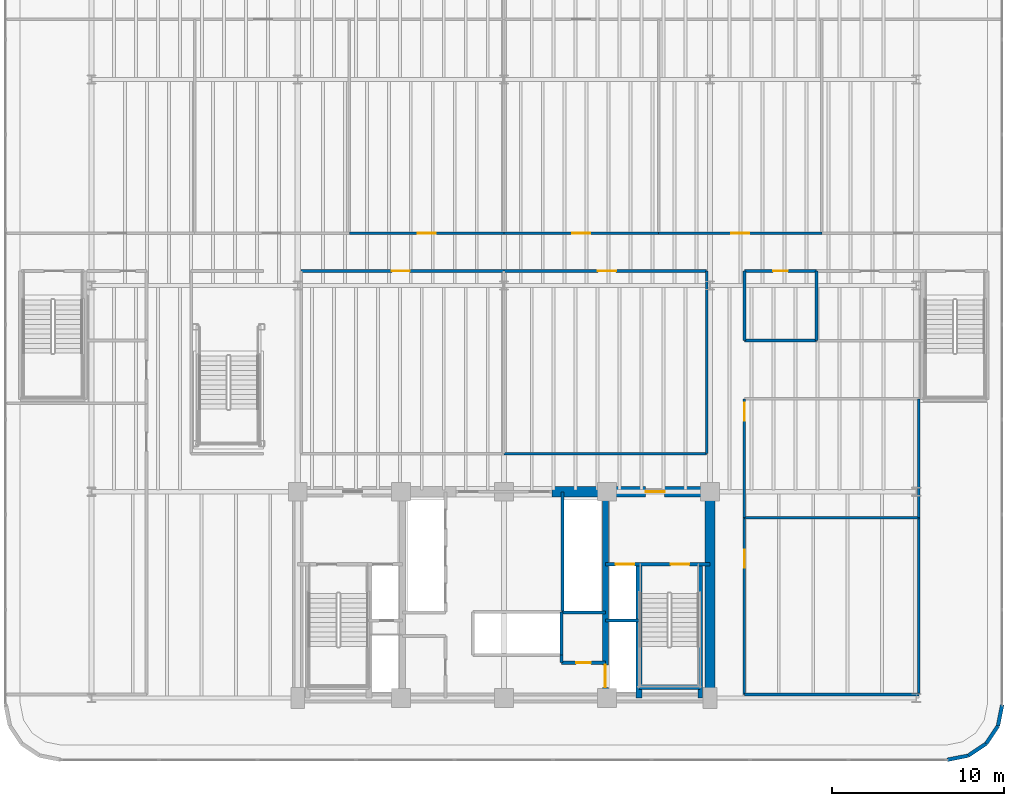
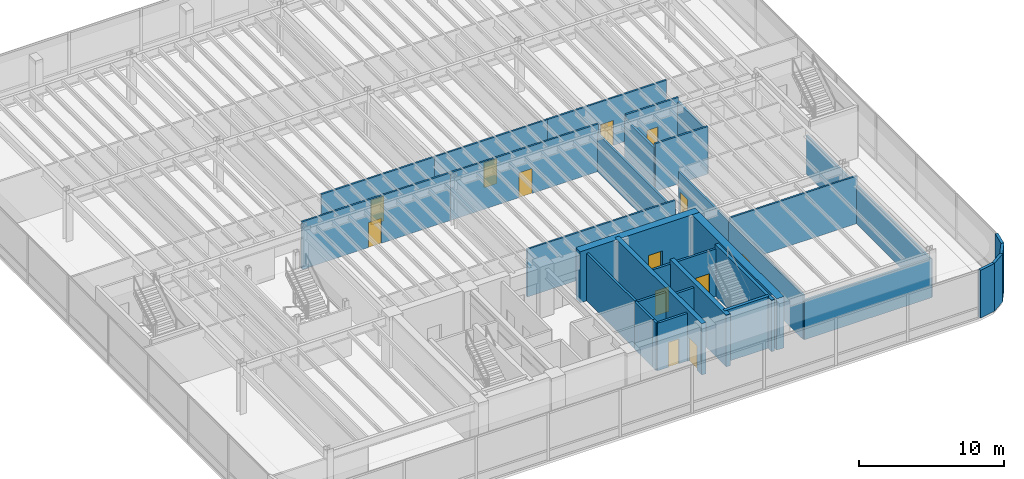
# One storey, part 13 of 18: 34 walls, 13 doors, 13 openings.
"""IFC4 building model written with IfcOpenShell, lengths in metres."""

import ifcopenshell
import ifcopenshell.guid

model = None  # the IFC model being written
_history = None  # IfcOwnerHistory: only IFC2X3 demands one
_inside = {}  # id of a spatial element -> (the spatial element, [elements in it])
_under = {}  # id of a project, library or spatial element -> (it, [spatial elements below it])
_declared = {}  # id of a project -> (the project, [libraries it declares])
_typed = {}  # id of a type object -> (the type object, [elements of that type])
_made_of = {}  # id of a material, layer set ... -> (it, [elements and type objects made of it])


def new_model(schema):
    """Start an empty IFC model of exactly this schema.

    Asked for "IFC4X3", IfcOpenShell would pick the latest addendum, in which some entities
    have other attributes; the version numbers below select the first issue.
    IFC2X3 requires an IfcOwnerHistory on every rooted entity: one is made here for all.
    """
    global model, _history
    if schema == "IFC4X3":
        model = ifcopenshell.file(schema_version=(4, 3, 0, 0))
    else:
        model = ifcopenshell.file(schema=schema)
    _inside.clear()
    _under.clear()
    _declared.clear()
    _typed.clear()
    _made_of.clear()
    _history = None
    if model.schema == "IFC2X3":
        org = make("IfcOrganization", Name="unknown")
        user = make(
            "IfcPersonAndOrganization",
            ThePerson=make("IfcPerson", FamilyName="unknown"),
            TheOrganization=org,
        )
        app = make(
            "IfcApplication",
            ApplicationDeveloper=org,
            Version="unknown",
            ApplicationFullName="unknown",
            ApplicationIdentifier="unknown",
        )
        _history = make(
            "IfcOwnerHistory",
            OwningUser=user,
            OwningApplication=app,
            ChangeAction="ADDED",
            CreationDate=0,
        )
    return model


def make(cls, **values):
    """One entity of the class cls with the attributes given. An attribute that is None is left unset."""
    return model.create_entity(
        cls, **{name: value for name, value in values.items() if value is not None}
    )


def rooted(cls, **values):
    """An entity with a GlobalId (a new one), such as an element, a storey or a relation."""
    return make(cls, GlobalId=ifcopenshell.guid.new(), OwnerHistory=_history, **values)


def si_unit(unit_type, name, prefix=None):
    """IfcSIUnit, for example si_unit("LENGTHUNIT", "METRE", prefix="MILLI")."""
    return make("IfcSIUnit", UnitType=unit_type, Prefix=prefix, Name=name)


def assignment(units):
    """IfcUnitAssignment: the units of a project."""
    return None if units is None else make("IfcUnitAssignment", Units=units)


def point(xyz):
    """IfcCartesianPoint."""
    return None if xyz is None else make("IfcCartesianPoint", Coordinates=xyz)


def direction(xyz):
    """IfcDirection."""
    return None if xyz is None else make("IfcDirection", DirectionRatios=xyz)


def frame(location, z_axis=None, x_axis=None):
    """IfcAxis2Placement3D, a coordinate frame: its origin and axes. An axis left out is left unset."""
    return make(
        "IfcAxis2Placement3D",
        Location=point(location),
        Axis=direction(z_axis),
        RefDirection=direction(x_axis),
    )


def frame_2d(location, x_axis=None):
    """IfcAxis2Placement2D, a coordinate frame in the plane: its origin and x axis."""
    return make(
        "IfcAxis2Placement2D", Location=point(location), RefDirection=direction(x_axis)
    )


def origin():
    """The frame at (0, 0, 0) with its axes left unset."""
    return frame((0.0, 0.0, 0.0))


def origin_2d():
    """The frame at (0, 0) in the plane with its x axis left unset."""
    return frame_2d((0.0, 0.0))


def place(relative_to, where):
    """IfcLocalPlacement: puts the frame where relative to a parent placement (None: the world)."""
    return make(
        "IfcLocalPlacement", PlacementRelTo=relative_to, RelativePlacement=where
    )


def context(
    kind, dimensions, precision=None, world=None, true_north=None, identifier=None
):
    """IfcGeometricRepresentationContext, for example the 3D "Model" context."""
    return make(
        "IfcGeometricRepresentationContext",
        ContextIdentifier=identifier,
        ContextType=kind,
        CoordinateSpaceDimension=dimensions,
        Precision=precision,
        WorldCoordinateSystem=world,
        TrueNorth=true_north,
    )


def subcontext(parent, identifier, kind, view, scale=None):
    """IfcGeometricRepresentationSubContext, for example "Body" below "Model"."""
    return make(
        "IfcGeometricRepresentationSubContext",
        ContextIdentifier=identifier,
        ContextType=kind,
        ParentContext=parent,
        TargetScale=scale,
        TargetView=view,
    )


def project(units=None, contexts=None):
    """IfcProject with its units and contexts."""
    return rooted(
        "IfcProject",
        Name="project",
        RepresentationContexts=contexts,
        UnitsInContext=assignment(units),
    )


def spatial(cls, under=None, at=None, **own):
    """A site, building, storey or space (cls), placed at a placement, below another one or the project."""
    s = rooted(cls, ObjectPlacement=at, **own)
    if under is not None:
        _under.setdefault(under.id(), (under, []))[1].append(s)
    return s


def profile(cls, at=None, kind="AREA", **sizes):
    """A parametric profile (cls). Its sizes go by their IFC names, for example OverallWidth=200.0."""
    return make(cls, ProfileType=kind, Position=at, **sizes)


def rectangle(**sizes):
    """IfcRectangleProfileDef."""
    return profile("IfcRectangleProfileDef", **sizes)


def extrude(swept, where, along, depth):
    """IfcExtrudedAreaSolid: the profile swept, set in the frame where, extruded along a direction by depth."""
    return make(
        "IfcExtrudedAreaSolid",
        SweptArea=swept,
        Position=where,
        ExtrudedDirection=direction(along),
        Depth=depth,
    )


def shape(context_of_items, identifier, shape_type, items):
    """IfcShapeRepresentation: the items that make up one representation, for example the "Body"."""
    return make(
        "IfcShapeRepresentation",
        ContextOfItems=context_of_items,
        RepresentationIdentifier=identifier,
        RepresentationType=shape_type,
        Items=items,
    )


def source(mapping_origin, context_of_items, identifier, shape_type, items):
    """IfcRepresentationMap: a shape defined once, which mapped items show again and again."""
    return make(
        "IfcRepresentationMap",
        MappingOrigin=mapping_origin,
        MappedRepresentation=shape(context_of_items, identifier, shape_type, items),
    )


def transform(
    local_origin,
    x_axis=None,
    y_axis=None,
    z_axis=None,
    scale=None,
    scale2=None,
    scale3=None,
    uniform=True,
):
    """IfcCartesianTransformationOperator3D, or its non-uniform kind. x_axis, y_axis, z_axis: its Axis1, 2, 3."""
    if uniform:
        return make(
            "IfcCartesianTransformationOperator3D",
            Axis1=direction(x_axis),
            Axis2=direction(y_axis),
            LocalOrigin=point(local_origin),
            Scale=scale,
            Axis3=direction(z_axis),
        )
    return make(
        "IfcCartesianTransformationOperator3DnonUniform",
        Axis1=direction(x_axis),
        Axis2=direction(y_axis),
        LocalOrigin=point(local_origin),
        Scale=scale,
        Axis3=direction(z_axis),
        Scale2=scale2,
        Scale3=scale3,
    )


def mapped(mapping_source, mapping_target):
    """IfcMappedItem: shows the shape of a source again, moved by a transform."""
    return make(
        "IfcMappedItem", MappingSource=mapping_source, MappingTarget=mapping_target
    )


def material(Name=None, Category=None):
    """IfcMaterial."""
    return make("IfcMaterial", Name=Name, Category=Category)


def layer(
    of_material, thickness, ventilated=None, Name=None, Category=None, Priority=None
):
    """IfcMaterialLayer: one layer of a wall or slab, of a material (None: an air gap)."""
    return make(
        "IfcMaterialLayer",
        Material=of_material,
        LayerThickness=thickness,
        IsVentilated=ventilated,
        Name=Name,
        Category=Category,
        Priority=Priority,
    )


def layer_set(layers, Name=None):
    """IfcMaterialLayerSet."""
    return make("IfcMaterialLayerSet", MaterialLayers=layers, LayerSetName=Name)


def made_of(thing, what):
    """Note that an element or type object is made of a material, layer set ...; save() writes the relation."""
    if what is not None:
        _made_of.setdefault(what.id(), (what, []))[1].append(thing)
    return thing


def type_object(cls, material=None, **own):
    """A type object (cls), such as IfcWallType, which elements share."""
    return made_of(rooted(cls, **own), material)


def element(
    cls,
    number,
    at=None,
    inside=None,
    cuts=None,
    type_object=None,
    material=None,
    context=None,
    identifier="Body",
    shape_type=None,
    held_by="IfcProductDefinitionShape",
    body=None,
    shapes=None,
    **own,
):
    """One element of the class cls, such as IfcWall. Its Tag is "e" and its number.

    at: its placement. inside: the storey or other place that contains it. cuts: it is an
    opening in that element (IfcRelVoidsElement). A single representation is given by context,
    identifier, shape_type and body (its items); several are given by shapes. held_by: the class
    of the entity that holds the representations. save() writes the other relations.
    """
    e = rooted(cls, Tag="e%d" % number, ObjectPlacement=at, **own)
    if body is not None:
        shapes = [shape(context, identifier, shape_type, body)]
    if shapes is not None:
        e.Representation = make(held_by, Representations=shapes)
    if inside is not None:
        _inside.setdefault(inside.id(), (inside, []))[1].append(e)
    if cuts is not None:
        rooted(
            "IfcRelVoidsElement", RelatingBuildingElement=cuts, RelatedOpeningElement=e
        )
    if type_object is not None:
        _typed.setdefault(type_object.id(), (type_object, []))[1].append(e)
    return made_of(e, material)


def fill(opening, filler):
    """IfcRelFillsElement: the door or window that sits in an opening."""
    return rooted(
        "IfcRelFillsElement",
        RelatingOpeningElement=opening,
        RelatedBuildingElement=filler,
    )


def aggregate(whole, parts):
    """IfcRelAggregates: a whole, such as a stair, and the parts it consists of."""
    return rooted("IfcRelAggregates", RelatingObject=whole, RelatedObjects=parts)


def save(model, path):
    """Write the relations noted so far, then the file.

    IfcRelAggregates (storeys below a building ...), IfcRelContainedInSpatialStructure (elements
    in a storey), IfcRelDefinesByType, IfcRelAssociatesMaterial and IfcRelDeclares: one each for
    every whole, place, type object, material and project.
    """
    for whole, parts in _under.values():
        aggregate(whole, parts)
    for where, things in _inside.values():
        rooted(
            "IfcRelContainedInSpatialStructure",
            RelatedElements=things,
            RelatingStructure=where,
        )
    for kind, things in _typed.values():
        rooted("IfcRelDefinesByType", RelatedObjects=things, RelatingType=kind)
    for what, things in _made_of.values():
        rooted("IfcRelAssociatesMaterial", RelatedObjects=things, RelatingMaterial=what)
    for by, libraries in _declared.values():
        rooted("IfcRelDeclares", RelatingContext=by, RelatedDefinitions=libraries)
    model.write(path)


model = new_model("IFC4")

# Units and contexts
model_context = context("Model", 3, precision=1e-05, world=origin(), true_north=direction((0.0, 1.0)))
body_context = subcontext(model_context, "Body", "Model", "MODEL_VIEW")
ifc_project = project(units=[si_unit("LENGTHUNIT", "METRE"), si_unit("AREAUNIT", "SQUARE_METRE"), si_unit("VOLUMEUNIT", "CUBIC_METRE"), si_unit("PLANEANGLEUNIT", "RADIAN"), si_unit("MASSUNIT", "GRAM", prefix="KILO")], contexts=[model_context])

# Site, building, storey
site_placement = place(None, origin())
site = spatial("IfcSite", under=ifc_project, at=site_placement, CompositionType="ELEMENT")
building_placement = place(site_placement, origin())
building = spatial("IfcBuilding", under=site, at=building_placement, Name="Brelvock Crest Care Tower", CompositionType="ELEMENT")
storey_placement = place(building_placement, frame((0.0, 0.0, 9.719970703125)))
storey = spatial("IfcBuildingStorey", under=building, at=storey_placement, Name="L02", CompositionType="ELEMENT", Elevation=9.719970703125)

# Wall
ifc_material_1 = material(Name="Concrete S80 (80 MPa)", Category="concrete")
ifc_layer_1 = layer(ifc_material_1, 0.60009765625, Name="WL-CS1")
ifc_layer_set_1 = layer_set([ifc_layer_1], Name="Concrete S80 (80 MPa)")
wall_type_1 = type_object("IfcWallType", Name="WL-CS1", PredefinedType="SHEAR", material=ifc_layer_set_1)
wall_1_placement = place(storey_placement, frame((48.0, 18.0, 0.0), z_axis=(0.0, 0.0, 1.0), x_axis=(0.0, -1.0, 0.0)))
element("IfcWall", 1, at=wall_1_placement, inside=storey, type_object=wall_type_1, Name="L02 Core East Shear Wall", PredefinedType="SHEAR", context=body_context, shape_type="SweptSolid", body=[
    extrude(rectangle(XDim=12.0, YDim=0.60009765625, at=frame_2d((6.0, 0.0))), origin(), (0.0, 0.0, 1.0), 4.320068359375),
])

# Wall, opening, door
wall_2_placement = place(storey_placement, frame((38.800048828125, 18.0, 0.0), z_axis=(0.0, 0.0, 1.0), x_axis=(1.0, 0.0, 0.0)))
wall_2 = element("IfcWall", 2, at=wall_2_placement, inside=storey, type_object=wall_type_1, Name="L02 Core North-East Shear Wall", PredefinedType="SHEAR", context=body_context, shape_type="SweptSolid", body=[
    extrude(rectangle(XDim=9.5, YDim=0.60009765625, at=frame_2d((4.75, 0.0))), origin(), (0.0, 0.0, 1.0), 4.320068359375),
])
opening_1_placement = place(wall_2_placement, frame((5.449951171875, 0.0, 0.0)))
opening_1 = element("IfcOpeningElement", 3, at=opening_1_placement, cuts=wall_2, Name="Opening FD-1", PredefinedType="OPENING", context=body_context, shape_type="SweptSolid", body=[
    extrude(rectangle(XDim=1.10009765625, YDim=2.10009765625, at=origin_2d()), frame((0.550048828125, 0.31005859375, 1.050048828125), z_axis=(0.0, -1.0, 0.0), x_axis=(1.0, 0.0, 0.0)), (0.0, 0.0, 1.0), 0.6201171875),
])
ifc_material_2 = material(Name="Steel Grade 350", Category="steel")
door_type_1 = type_object("IfcDoorType", Name="DR-FFL1", OperationType="NOTDEFINED", PredefinedType="DOOR", material=ifc_material_2)
shared_shape_1 = source(origin(), body_context, "Body", "SweptSolid", [
    extrude(rectangle(XDim=1.10009765625, YDim=2.10009765625, at=origin_2d()), frame((0.550048828125, 0.02490234375, 1.050048828125), z_axis=(0.0, -1.0, 0.0), x_axis=(1.0, 0.0, 0.0)), (0.0, 0.0, 1.0), 0.050048828125),
])
door_1_placement = place(opening_1_placement, origin())
door_1 = element("IfcDoor", 4, at=door_1_placement, inside=storey, type_object=door_type_1, Name="L02 Firefighting Lobby FFL-2 Exit Door", OperationType="SINGLE_SWING_RIGHT", OverallHeight=2.10009765625, OverallWidth=1.10009765625, PredefinedType="DOOR", context=body_context, shape_type="MappedRepresentation", body=[
    mapped(shared_shape_1, transform((0.0, 0.0, 0.0), x_axis=(1.0, 0.0, 0.0), y_axis=(0.0, 1.0, 0.0), z_axis=(0.0, 0.0, 1.0), scale=1.0)),
])
fill(opening_1, door_1)

ifc_layer_2 = layer(ifc_material_1, 0.35009765625, Name="WL-CS5")
ifc_layer_set_2 = layer_set([ifc_layer_2], Name="Concrete S80 (80 MPa)")
wall_type_2 = type_object("IfcWallType", Name="WL-CS5", PredefinedType="SHEAR", material=ifc_layer_set_2)
wall_3_placement = place(storey_placement, frame((41.89990234375, 18.0, 0.0), z_axis=(0.0, 0.0, 1.0), x_axis=(0.0, -1.0, 0.0)))
wall_3 = element("IfcWall", 5, at=wall_3_placement, inside=storey, type_object=wall_type_2, Name="L02 Core Internal Web Wall East", PredefinedType="SHEAR", context=body_context, shape_type="SweptSolid", body=[
    extrude(rectangle(XDim=12.0, YDim=0.35009765625, at=frame_2d((6.0, 0.0))), origin(), (0.0, 0.0, 1.0), 4.320068359375),
])
opening_2_placement = place(wall_3_placement, frame((10.080078125, 0.0, 0.0)))
opening_2 = element("IfcOpeningElement", 6, at=opening_2_placement, cuts=wall_3, Name="Opening LD-S", PredefinedType="OPENING", context=body_context, shape_type="SweptSolid", body=[
    extrude(rectangle(XDim=1.300048828125, YDim=2.10009765625, at=origin_2d()), frame((0.64990234375, 0.18505859375, 1.050048828125), z_axis=(0.0, -1.0, 0.0), x_axis=(1.0, 0.0, 0.0)), (0.0, 0.0, 1.0), 0.3701171875),
])
door_type_2 = type_object("IfcDoorType", Name="DR-LDS1", OperationType="NOTDEFINED", PredefinedType="DOOR", material=ifc_material_2)
shared_shape_2 = source(origin(), body_context, "Body", "SweptSolid", [
    extrude(rectangle(XDim=1.300048828125, YDim=2.10009765625, at=origin_2d()), frame((0.64990234375, 0.02490234375, 1.050048828125), z_axis=(0.0, -1.0, 0.0), x_axis=(1.0, 0.0, 0.0)), (0.0, 0.0, 1.0), 0.050048828125),
])
door_2_placement = place(opening_2_placement, origin())
door_2 = element("IfcDoor", 7, at=door_2_placement, inside=storey, type_object=door_type_2, Name="L02 Clinical Bed Lift SL-1 Landing Door", OperationType="SLIDING_TO_LEFT", OverallHeight=2.10009765625, OverallWidth=1.300048828125, PredefinedType="DOOR", context=body_context, shape_type="MappedRepresentation", body=[
    mapped(shared_shape_2, transform((0.0, 0.0, 0.0), x_axis=(1.0, 0.0, 0.0), y_axis=(0.0, 1.0, 0.0), z_axis=(0.0, 0.0, 1.0), scale=1.0)),
])
fill(opening_2, door_2)

# Walls
wall_4_placement = place(storey_placement, frame((43.85009765625, 6.0, 0.0), z_axis=(0.0, 0.0, 1.0), x_axis=(0.0, 1.0, 0.0)))
element("IfcWall", 8, at=wall_4_placement, inside=storey, type_object=wall_type_2, Name="L02 Core Stair ST-2 West Shear Wall", PredefinedType="SHEAR", context=body_context, shape_type="SweptSolid", body=[
    extrude(rectangle(XDim=7.780029296875, YDim=0.35009765625, at=frame_2d((3.89013671875, 0.0))), origin(), (0.0, 0.0, 1.0), 4.360107421875),
])
ifc_layer_3 = layer(ifc_material_1, 0.25, Name="WL-CS6")
ifc_layer_set_3 = layer_set([ifc_layer_3], Name="Concrete S80 (80 MPa)")
wall_type_3 = type_object("IfcWallType", Name="WL-CS6", PredefinedType="SHEAR", material=ifc_layer_set_3)
wall_5_placement = place(storey_placement, frame((47.419921875, 6.0, 0.0), z_axis=(0.0, 0.0, 1.0), x_axis=(0.0, 1.0, 0.0)))
element("IfcWall", 9, at=wall_5_placement, inside=storey, type_object=wall_type_3, Name="L02 Core Stair ST-2 East Shear Wall", PredefinedType="SHEAR", context=body_context, shape_type="SweptSolid", body=[
    extrude(rectangle(XDim=7.780029296875, YDim=0.25, at=frame_2d((3.89013671875, 0.0))), origin(), (0.0, 0.0, 1.0), 4.360107421875),
])
wall_6_placement = place(storey_placement, frame((43.85009765625, 6.6201171875, 0.0), z_axis=(0.0, 0.0, 1.0), x_axis=(1.0, 0.0, 0.0)))
element("IfcWall", 10, at=wall_6_placement, inside=storey, type_object=wall_type_3, Name="L02 Core Stair ST-2 South Shear Wall", PredefinedType="SHEAR", context=body_context, shape_type="SweptSolid", body=[
    extrude(rectangle(XDim=3.56982421875, YDim=0.25, at=frame_2d((1.784912109375, 0.0))), origin(), (0.0, 0.0, 1.0), 4.360107421875),
])
ifc_material_3 = material(Name="Precast concrete N40 (40 MPa)", Category="concrete")
ifc_layer_4 = layer(ifc_material_3, 0.215087890625, Name="WL-EX2")
ifc_layer_set_4 = layer_set([ifc_layer_4], Name="Precast concrete N40 (40 MPa)")
wall_type_4 = type_object("IfcWallType", Name="WL-EX2", PredefinedType="SOLIDWALL", material=ifc_layer_set_4)
for number, where, z_axis, x_axis, name in (
    (11, (65.0, 5.60009765625, 0.0), (0.0, 0.0, 1.0), (-0.195138390419, -0.980775717779, 0.0), "L02 Rounded Corner Wall 15"),
    (12, (64.75634765625, 4.37548828125, 0.0), (0.0, 0.0, 1.0), (-0.555557312883, -0.831478245117, 0.0), "L02 Rounded Corner Wall 16"),
    (13, (64.062744140625, 3.33740234375, 0.0), (0.0, 0.0, 1.0), (-0.831387912822, -0.555692485475, 0.0), "L02 Rounded Corner Wall 17"),
    (14, (63.024658203125, 2.6435546875, 0.0), (0.0, 0.0, 1.0), (-0.980775717779, -0.195138390419, 0.0), "L02 Rounded Corner Wall 18"),
):
    element("IfcWall", number, at=place(storey_placement, frame(where, z_axis=z_axis, x_axis=x_axis)), inside=storey, type_object=wall_type_4, Name=name, PredefinedType="SOLIDWALL", context=body_context, shape_type="SweptSolid", body=[
        extrude(rectangle(XDim=1.24853515625, YDim=0.215087890625, at=frame_2d((0.624267578125, 0.0))), origin(), (0.0, 0.0, 1.0), 4.0400390625),
    ])
ifc_material_4 = material(Name="Masonry Blockwork Acoustic Partition", Category="masonry")
ifc_layer_5 = layer(ifc_material_4, 0.14990234375, Name="WL-INT1")
ifc_layer_set_5 = layer_set([ifc_layer_5], Name="Masonry Blockwork Acoustic Partition")
wall_type_5 = type_object("IfcWallType", Name="WL-INT1", PredefinedType="PARTITIONING", material=ifc_layer_set_5)
wall_7_placement = place(storey_placement, frame((50.0, 6.199951171875, 0.0), z_axis=(0.0, 0.0, 1.0), x_axis=(1.0, 0.0, 0.0)))
element("IfcWall", 15, at=wall_7_placement, inside=storey, type_object=wall_type_5, Name="L02 Interior Wall WL-BX-L02-CL4A-S", PredefinedType="PARTITIONING", context=body_context, shape_type="SweptSolid", body=[
    extrude(rectangle(XDim=10.14990234375, YDim=0.14990234375, at=frame_2d((5.074951171875, 0.0))), origin(), (0.0, 0.0, 1.0), 3.324951171875),
])
wall_8_placement = place(storey_placement, frame((50.0, 16.5, 0.0), z_axis=(0.0, 0.0, 1.0), x_axis=(1.0, 0.0, 0.0)))
element("IfcWall", 16, at=wall_8_placement, inside=storey, type_object=wall_type_5, Name="L02 Interior Wall WL-BX-L02-CL4A-N", PredefinedType="PARTITIONING", context=body_context, shape_type="SweptSolid", body=[
    extrude(rectangle(XDim=10.14990234375, YDim=0.14990234375, at=frame_2d((5.074951171875, 0.0))), origin(), (0.0, 0.0, 1.0), 4.010009765625),
])
wall_9_placement = place(storey_placement, frame((36.0, 20.219970703125, 0.0), z_axis=(0.0, 0.0, 1.0), x_axis=(1.0, 0.0, 0.0)))
element("IfcWall", 17, at=wall_9_placement, inside=storey, type_object=wall_type_5, Name="L02 Interior Wall WL-BX-L02-CL3-S", PredefinedType="PARTITIONING", context=body_context, shape_type="SweptSolid", body=[
    extrude(rectangle(XDim=11.800048828125, YDim=0.14990234375, at=frame_2d((5.89990234375, 0.0))), origin(), (0.0, 0.0, 1.0), 4.010009765625),
])

# Wall, opening, door
wall_10_placement = place(storey_placement, frame((24.199951171875, 30.85009765625, 0.0), z_axis=(0.0, 0.0, 1.0), x_axis=(1.0, 0.0, 0.0)))
wall_10 = element("IfcWall", 18, at=wall_10_placement, inside=storey, type_object=wall_type_5, Name="L02 Interior Wall WL-RM-L02-CL2", PredefinedType="PARTITIONING", context=body_context, shape_type="SweptSolid", body=[
    extrude(rectangle(XDim=11.800048828125, YDim=0.14990234375, at=frame_2d((5.89990234375, 0.0))), origin(), (0.0, 0.0, 1.0), 4.010009765625),
])
opening_3_placement = place(wall_10_placement, frame((5.27490234375, 0.0, 0.0)))
opening_3 = element("IfcOpeningElement", 19, at=opening_3_placement, cuts=wall_10, Name="Opening CLD-1", PredefinedType="OPENING", context=body_context, shape_type="SweptSolid", body=[
    extrude(rectangle(XDim=1.050048828125, YDim=2.10009765625, at=origin_2d()), frame((0.52490234375, 0.0849609375, 1.050048828125), z_axis=(0.0, -1.0, 0.0), x_axis=(1.0, 0.0, 0.0)), (0.0, 0.0, 1.0), 0.169921875),
])
ifc_material_5 = material(Name="Engineered Hardwood Timber", Category="wood")
door_type_3 = type_object("IfcDoorType", Name="DR-CLN1", OperationType="NOTDEFINED", PredefinedType="DOOR", material=ifc_material_5)
shared_shape_3 = source(origin(), body_context, "Body", "SweptSolid", [
    extrude(rectangle(XDim=1.050048828125, YDim=2.10009765625, at=origin_2d()), frame((0.52490234375, 0.02490234375, 1.050048828125), z_axis=(0.0, -1.0, 0.0), x_axis=(1.0, 0.0, 0.0)), (0.0, 0.0, 1.0), 0.050048828125),
])
door_3_placement = place(opening_3_placement, origin())
door_3 = element("IfcDoor", 20, at=door_3_placement, inside=storey, type_object=door_type_3, Name="L02 Audiology and Memory Clinic Door CL2", OperationType="SINGLE_SWING_LEFT", OverallHeight=2.10009765625, OverallWidth=1.050048828125, PredefinedType="DOOR", context=body_context, shape_type="MappedRepresentation", body=[
    mapped(shared_shape_3, transform((0.0, 0.0, 0.0), x_axis=(1.0, 0.0, 0.0), y_axis=(0.0, 1.0, 0.0), z_axis=(0.0, 0.0, 1.0), scale=1.0)),
])
fill(opening_3, door_3)

wall_11_placement = place(storey_placement, frame((36.0, 30.85009765625, 0.0), z_axis=(0.0, 0.0, 1.0), x_axis=(1.0, 0.0, 0.0)))
wall_11 = element("IfcWall", 21, at=wall_11_placement, inside=storey, type_object=wall_type_5, Name="L02 Interior Wall WL-RM-L02-CL3", PredefinedType="PARTITIONING", context=body_context, shape_type="SweptSolid", body=[
    extrude(rectangle(XDim=11.800048828125, YDim=0.14990234375, at=frame_2d((5.89990234375, 0.0))), origin(), (0.0, 0.0, 1.0), 4.010009765625),
])
opening_4_placement = place(wall_11_placement, frame((5.47509765625, 0.0, 0.0)))
opening_4 = element("IfcOpeningElement", 22, at=opening_4_placement, cuts=wall_11, Name="Opening CLD-1", PredefinedType="OPENING", context=body_context, shape_type="SweptSolid", body=[
    extrude(rectangle(XDim=1.050048828125, YDim=2.10009765625, at=origin_2d()), frame((0.52490234375, 0.0849609375, 1.050048828125), z_axis=(0.0, -1.0, 0.0), x_axis=(1.0, 0.0, 0.0)), (0.0, 0.0, 1.0), 0.169921875),
])
door_4_placement = place(opening_4_placement, origin())
door_4 = element("IfcDoor", 23, at=door_4_placement, inside=storey, type_object=door_type_3, Name="L02 Cardiology Assessment Suite Door CL3", OperationType="SINGLE_SWING_LEFT", OverallHeight=2.10009765625, OverallWidth=1.050048828125, PredefinedType="DOOR", context=body_context, shape_type="MappedRepresentation", body=[
    mapped(shared_shape_3, transform((0.0, 0.0, 0.0), x_axis=(1.0, 0.0, 0.0), y_axis=(0.0, 1.0, 0.0), z_axis=(0.0, 0.0, 1.0), scale=1.0)),
])
fill(opening_4, door_4)

wall_12_placement = place(storey_placement, frame((27.0, 33.050048828125, 0.0), z_axis=(0.0, 0.0, 1.0), x_axis=(1.0, 0.0, 0.0)))
wall_12 = element("IfcWall", 24, at=wall_12_placement, inside=storey, type_object=wall_type_5, Name="L02 Interior Wall WL-RM-L02-CL6A", PredefinedType="PARTITIONING", context=body_context, shape_type="SweptSolid", body=[
    extrude(rectangle(XDim=9.0, YDim=0.14990234375, at=frame_2d((4.5, 0.0))), origin(), (0.0, 0.0, 1.0), 4.010009765625),
])
opening_5_placement = place(wall_12_placement, frame((3.97509765625, 0.0, 0.0)))
opening_5 = element("IfcOpeningElement", 25, at=opening_5_placement, cuts=wall_12, Name="Opening CLD-1", PredefinedType="OPENING", context=body_context, shape_type="SweptSolid", body=[
    extrude(rectangle(XDim=1.050048828125, YDim=2.10009765625, at=origin_2d()), frame((0.52490234375, 0.0849609375, 1.050048828125), z_axis=(0.0, -1.0, 0.0), x_axis=(1.0, 0.0, 0.0)), (0.0, 0.0, 1.0), 0.169921875),
])
door_5_placement = place(opening_5_placement, origin())
door_5 = element("IfcDoor", 26, at=door_5_placement, inside=storey, type_object=door_type_3, Name="L02 Outpatient Consultation West Door CL6A", OperationType="SINGLE_SWING_LEFT", OverallHeight=2.10009765625, OverallWidth=1.050048828125, PredefinedType="DOOR", context=body_context, shape_type="MappedRepresentation", body=[
    mapped(shared_shape_3, transform((0.0, 0.0, 0.0), x_axis=(1.0, 0.0, 0.0), y_axis=(0.0, 1.0, 0.0), z_axis=(0.0, 0.0, 1.0), scale=1.0)),
])
fill(opening_5, door_5)

wall_13_placement = place(storey_placement, frame((36.0, 33.050048828125, 0.0), z_axis=(0.0, 0.0, 1.0), x_axis=(1.0, 0.0, 0.0)))
wall_13 = element("IfcWall", 27, at=wall_13_placement, inside=storey, type_object=wall_type_5, Name="L02 Interior Wall WL-RM-L02-CL6B", PredefinedType="PARTITIONING", context=body_context, shape_type="SweptSolid", body=[
    extrude(rectangle(XDim=9.0, YDim=0.14990234375, at=frame_2d((4.5, 0.0))), origin(), (0.0, 0.0, 1.0), 4.010009765625),
])
opening_6_placement = place(wall_13_placement, frame((3.97509765625, 0.0, 0.0)))
opening_6 = element("IfcOpeningElement", 28, at=opening_6_placement, cuts=wall_13, Name="Opening CLD-1", PredefinedType="OPENING", context=body_context, shape_type="SweptSolid", body=[
    extrude(rectangle(XDim=1.050048828125, YDim=2.10009765625, at=origin_2d()), frame((0.52490234375, 0.0849609375, 1.050048828125), z_axis=(0.0, -1.0, 0.0), x_axis=(1.0, 0.0, 0.0)), (0.0, 0.0, 1.0), 0.169921875),
])
door_6_placement = place(opening_6_placement, origin())
door_6 = element("IfcDoor", 29, at=door_6_placement, inside=storey, type_object=door_type_3, Name="L02 Outpatient Consultation East Door CL6B", OperationType="SINGLE_SWING_LEFT", OverallHeight=2.10009765625, OverallWidth=1.050048828125, PredefinedType="DOOR", context=body_context, shape_type="MappedRepresentation", body=[
    mapped(shared_shape_3, transform((0.0, 0.0, 0.0), x_axis=(1.0, 0.0, 0.0), y_axis=(0.0, 1.0, 0.0), z_axis=(0.0, 0.0, 1.0), scale=1.0)),
])
fill(opening_6, door_6)

wall_14_placement = place(storey_placement, frame((45.0, 33.050048828125, 0.0), z_axis=(0.0, 0.0, 1.0), x_axis=(1.0, 0.0, 0.0)))
wall_14 = element("IfcWall", 30, at=wall_14_placement, inside=storey, type_object=wall_type_5, Name="L02 Interior Wall WL-RM-L02-CL7A", PredefinedType="PARTITIONING", context=body_context, shape_type="SweptSolid", body=[
    extrude(rectangle(XDim=9.5, YDim=0.14990234375, at=frame_2d((4.75, 0.0))), origin(), (0.0, 0.0, 1.0), 4.010009765625),
])
opening_7_placement = place(wall_14_placement, frame((4.22509765625, 0.0, 0.0)))
opening_7 = element("IfcOpeningElement", 31, at=opening_7_placement, cuts=wall_14, Name="Opening CLD-1", PredefinedType="OPENING", context=body_context, shape_type="SweptSolid", body=[
    extrude(rectangle(XDim=1.050048828125, YDim=2.10009765625, at=origin_2d()), frame((0.52490234375, 0.0849609375, 1.050048828125), z_axis=(0.0, -1.0, 0.0), x_axis=(1.0, 0.0, 0.0)), (0.0, 0.0, 1.0), 0.169921875),
])
door_7_placement = place(opening_7_placement, origin())
door_7 = element("IfcDoor", 32, at=door_7_placement, inside=storey, type_object=door_type_3, Name="L02 Minor Procedure Suite Door CL7A", OperationType="SINGLE_SWING_LEFT", OverallHeight=2.10009765625, OverallWidth=1.050048828125, PredefinedType="DOOR", context=body_context, shape_type="MappedRepresentation", body=[
    mapped(shared_shape_3, transform((0.0, 0.0, 0.0), x_axis=(1.0, 0.0, 0.0), y_axis=(0.0, 1.0, 0.0), z_axis=(0.0, 0.0, 1.0), scale=1.0)),
])
fill(opening_7, door_7)

# Wall
wall_15_placement = place(storey_placement, frame((47.800048828125, 20.219970703125, 0.0), z_axis=(0.0, 0.0, 1.0), x_axis=(0.0, 1.0, 0.0)))
element("IfcWall", 33, at=wall_15_placement, inside=storey, type_object=wall_type_5, Name="L02 Interior Wall WL-BX-L02-CL3-E", PredefinedType="PARTITIONING", context=body_context, shape_type="SweptSolid", body=[
    extrude(rectangle(XDim=10.630126953125, YDim=0.14990234375, at=frame_2d((5.31494140625, 0.0))), origin(), (0.0, 0.0, 1.0), 3.22509765625),
])

# Wall, opening, door
wall_16_placement = place(storey_placement, frame((50.0, 6.199951171875, 0.0), z_axis=(0.0, 0.0, 1.0), x_axis=(0.0, 1.0, 0.0)))
wall_16 = element("IfcWall", 34, at=wall_16_placement, inside=storey, type_object=wall_type_5, Name="L02 Interior Wall WL-RM-L02-CL4A", PredefinedType="PARTITIONING", context=body_context, shape_type="SweptSolid", body=[
    extrude(rectangle(XDim=10.300048828125, YDim=0.14990234375, at=frame_2d((5.14990234375, 0.0))), origin(), (0.0, 0.0, 1.0), 3.718017578125),
])
opening_8_placement = place(wall_16_placement, frame((7.375, 0.0, 0.0)))
opening_8 = element("IfcOpeningElement", 35, at=opening_8_placement, cuts=wall_16, Name="Opening CLD-1", PredefinedType="OPENING", context=body_context, shape_type="SweptSolid", body=[
    extrude(rectangle(XDim=1.050048828125, YDim=2.10009765625, at=origin_2d()), frame((0.52490234375, 0.0849609375, 1.050048828125), z_axis=(0.0, -1.0, 0.0), x_axis=(1.0, 0.0, 0.0)), (0.0, 0.0, 1.0), 0.169921875),
])
door_8_placement = place(opening_8_placement, origin())
door_8 = element("IfcDoor", 36, at=door_8_placement, inside=storey, type_object=door_type_3, Name="L02 Diagnostic Imaging Suite Door CL4A", OperationType="SINGLE_SWING_LEFT", OverallHeight=2.10009765625, OverallWidth=1.050048828125, PredefinedType="DOOR", context=body_context, shape_type="MappedRepresentation", body=[
    mapped(shared_shape_3, transform((0.0, 0.0, 0.0), x_axis=(1.0, 0.0, 0.0), y_axis=(0.0, 1.0, 0.0), z_axis=(0.0, 0.0, 1.0), scale=1.0)),
])
fill(opening_8, door_8)

wall_17_placement = place(storey_placement, frame((50.0, 16.5, 0.0), z_axis=(0.0, 0.0, 1.0), x_axis=(0.0, 1.0, 0.0)))
wall_17 = element("IfcWall", 37, at=wall_17_placement, inside=storey, type_object=wall_type_5, Name="L02 Interior Wall WL-RM-L02-CL4B", PredefinedType="PARTITIONING", context=body_context, shape_type="SweptSolid", body=[
    extrude(rectangle(XDim=6.909912109375, YDim=0.14990234375, at=frame_2d((3.455078125, 0.0))), origin(), (0.0, 0.0, 1.0), 3.718017578125),
])
opening_9_placement = place(wall_17_placement, frame((5.639892578125, 0.0, 0.0)))
opening_9 = element("IfcOpeningElement", 38, at=opening_9_placement, cuts=wall_17, Name="Opening CLD-1", PredefinedType="OPENING", context=body_context, shape_type="SweptSolid", body=[
    extrude(rectangle(XDim=1.050048828125, YDim=2.10009765625, at=origin_2d()), frame((0.52490234375, 0.0849609375, 1.050048828125), z_axis=(0.0, -1.0, 0.0), x_axis=(1.0, 0.0, 0.0)), (0.0, 0.0, 1.0), 0.169921875),
])
door_9_placement = place(opening_9_placement, origin())
door_9 = element("IfcDoor", 39, at=door_9_placement, inside=storey, type_object=door_type_3, Name="L02 Ultrasound and Bone Density Door CL4B", OperationType="SINGLE_SWING_LEFT", OverallHeight=2.10009765625, OverallWidth=1.050048828125, PredefinedType="DOOR", context=body_context, shape_type="MappedRepresentation", body=[
    mapped(shared_shape_3, transform((0.0, 0.0, 0.0), x_axis=(1.0, 0.0, 0.0), y_axis=(0.0, 1.0, 0.0), z_axis=(0.0, 0.0, 1.0), scale=1.0)),
])
fill(opening_9, door_9)

# Walls
wall_18_placement = place(storey_placement, frame((60.14990234375, 6.199951171875, 0.0), z_axis=(0.0, 0.0, 1.0), x_axis=(0.0, 1.0, 0.0)))
element("IfcWall", 40, at=wall_18_placement, inside=storey, type_object=wall_type_5, Name="L02 Interior Wall WL-BX-L02-CL4A-E", PredefinedType="PARTITIONING", context=body_context, shape_type="SweptSolid", body=[
    extrude(rectangle(XDim=10.300048828125, YDim=0.14990234375, at=frame_2d((5.14990234375, 0.0))), origin(), (0.0, 0.0, 1.0), 3.22509765625),
])
wall_19_placement = place(storey_placement, frame((60.14990234375, 16.5, 0.0), z_axis=(0.0, 0.0, 1.0), x_axis=(0.0, 1.0, 0.0)))
element("IfcWall", 41, at=wall_19_placement, inside=storey, type_object=wall_type_5, Name="L02 Interior Wall WL-BX-L02-CL4B-E", PredefinedType="PARTITIONING", context=body_context, shape_type="SweptSolid", body=[
    extrude(rectangle(XDim=6.909912109375, YDim=0.14990234375, at=frame_2d((3.455078125, 0.0))), origin(), (0.0, 0.0, 1.0), 3.22509765625),
])
ifc_material_6 = material(Name="Gypsum Plasterboard Partition", Category="gypsum")
ifc_layer_6 = layer(ifc_material_6, 0.159912109375, Name="WL-PLM1")
ifc_layer_set_6 = layer_set([ifc_layer_6], Name="Gypsum Plasterboard Partition")
wall_type_6 = type_object("IfcWallType", Name="WL-PLM1", PredefinedType="PLUMBINGWALL", material=ifc_layer_set_6)
wall_20_placement = place(storey_placement, frame((50.0, 26.800048828125, 0.0), z_axis=(0.0, 0.0, 1.0), x_axis=(1.0, 0.0, 0.0)))
element("IfcWall", 42, at=wall_20_placement, inside=storey, type_object=wall_type_6, Name="L02 Interior Wall WL-BX-L02-SWC-S", PredefinedType="PLUMBINGWALL", context=body_context, shape_type="SweptSolid", body=[
    extrude(rectangle(XDim=4.199951171875, YDim=0.159912109375, at=frame_2d((2.10009765625, 0.0))), origin(), (0.0, 0.0, 1.0), 4.010009765625),
])

# Wall, opening, door
wall_21_placement = place(storey_placement, frame((50.0, 30.85009765625, 0.0), z_axis=(0.0, 0.0, 1.0), x_axis=(1.0, 0.0, 0.0)))
wall_21 = element("IfcWall", 43, at=wall_21_placement, inside=storey, type_object=wall_type_6, Name="L02 Interior Wall WL-RM-L02-SWC", PredefinedType="PLUMBINGWALL", context=body_context, shape_type="SweptSolid", body=[
    extrude(rectangle(XDim=4.199951171875, YDim=0.159912109375, at=frame_2d((2.10009765625, 0.0))), origin(), (0.0, 0.0, 1.0), 4.010009765625),
])
opening_10_placement = place(wall_21_placement, frame((1.669921875, 0.0, 0.0)))
opening_10 = element("IfcOpeningElement", 44, at=opening_10_placement, cuts=wall_21, Name="Opening WD-1", PredefinedType="OPENING", context=body_context, shape_type="SweptSolid", body=[
    extrude(rectangle(XDim=0.860107421875, YDim=2.10009765625, at=origin_2d()), frame((0.43017578125, 0.08984375, 1.050048828125), z_axis=(0.0, -1.0, 0.0), x_axis=(1.0, 0.0, 0.0)), (0.0, 0.0, 1.0), 0.179931640625),
])
door_type_4 = type_object("IfcDoorType", Name="DR-WC1", OperationType="NOTDEFINED", PredefinedType="DOOR", material=ifc_material_5)
shared_shape_4 = source(origin(), body_context, "Body", "SweptSolid", [
    extrude(rectangle(XDim=0.860107421875, YDim=2.10009765625, at=origin_2d()), frame((0.43017578125, 0.02490234375, 1.050048828125), z_axis=(0.0, -1.0, 0.0), x_axis=(1.0, 0.0, 0.0)), (0.0, 0.0, 1.0), 0.050048828125),
])
door_10_placement = place(opening_10_placement, origin())
door_10 = element("IfcDoor", 45, at=door_10_placement, inside=storey, type_object=door_type_4, Name="L02 Staff Amenities WC Door SWC", OperationType="SINGLE_SWING_LEFT", OverallHeight=2.10009765625, OverallWidth=0.860107421875, PredefinedType="DOOR", context=body_context, shape_type="MappedRepresentation", body=[
    mapped(shared_shape_4, transform((0.0, 0.0, 0.0), x_axis=(1.0, 0.0, 0.0), y_axis=(0.0, 1.0, 0.0), z_axis=(0.0, 0.0, 1.0), scale=1.0)),
])
fill(opening_10, door_10)

# Walls
for number, where, z_axis, x_axis, name in (
    (46, (50.0, 26.800048828125, 0.0), (0.0, 0.0, 1.0), (0.0, 1.0, 0.0), "L02 Interior Wall WL-BX-L02-SWC-W"),
    (47, (54.199951171875, 26.800048828125, 0.0), (0.0, 0.0, 1.0), (0.0, 1.0, 0.0), "L02 Interior Wall WL-BX-L02-REC2-W"),
):
    element("IfcWall", number, at=place(storey_placement, frame(where, z_axis=z_axis, x_axis=x_axis)), inside=storey, type_object=wall_type_6, Name=name, PredefinedType="PLUMBINGWALL", context=body_context, shape_type="SweptSolid", body=[
        extrude(rectangle(XDim=4.050048828125, YDim=0.159912109375, at=frame_2d((2.02490234375, 0.0))), origin(), (0.0, 0.0, 1.0), 3.666015625),
    ])
ifc_layer_7 = layer(ifc_material_4, 0.179931640625, Name="WL-SHF1")
ifc_layer_set_7 = layer_set([ifc_layer_7], Name="Masonry Blockwork Acoustic Partition")
wall_type_7 = type_object("IfcWallType", Name="WL-SHF1", PredefinedType="PARTITIONING", material=ifc_layer_set_7)
wall_22_placement = place(storey_placement, frame((39.35009765625, 8.5, 0.0), z_axis=(0.0, 0.0, 1.0), x_axis=(0.0, 1.0, 0.0)))
element("IfcWall", 48, at=wall_22_placement, inside=storey, type_object=wall_type_7, Name="L02 Interior Wall WL-PLM-E-L02", PredefinedType="PARTITIONING", context=body_context, shape_type="SweptSolid", body=[
    extrude(rectangle(XDim=2.5, YDim=0.179931640625, at=frame_2d((1.25, 0.0))), origin(), (0.0, 0.0, 1.0), 4.010009765625),
])
wall_23_placement = place(storey_placement, frame((39.39990234375, 11.0, 0.0), z_axis=(0.0, 0.0, 1.0), x_axis=(0.0, 1.0, 0.0)))
element("IfcWall", 49, at=wall_23_placement, inside=storey, type_object=wall_type_7, Name="L02 Interior Wall WL-PLH-SHF-L02", PredefinedType="PARTITIONING", context=body_context, shape_type="SweptSolid", body=[
    extrude(rectangle(XDim=7.0, YDim=0.179931640625, at=frame_2d((3.5, 0.0))), origin(), (0.0, 0.0, 1.0), 4.010009765625),
])
wall_24_placement = place(storey_placement, frame((39.35009765625, 10.97998046875, 0.0), z_axis=(0.0, 0.0, 1.0), x_axis=(1.0, 0.0, 0.0)))
element("IfcWall", 50, at=wall_24_placement, inside=storey, type_object=wall_type_7, Name="L02 Interior Wall WL-CSBE-N-L02", PredefinedType="PARTITIONING", context=body_context, shape_type="SweptSolid", body=[
    extrude(rectangle(XDim=2.5498046875, YDim=0.179931640625, at=frame_2d((1.27490234375, 0.0))), origin(), (0.0, 0.0, 1.0), 4.010009765625),
])
wall_25_placement = place(storey_placement, frame((39.35009765625, 8.050048828125, 0.0), z_axis=(0.0, 0.0, 1.0), x_axis=(0.0, 1.0, 0.0)))
element("IfcWall", 51, at=wall_25_placement, inside=storey, type_object=wall_type_7, Name="L02 Interior Wall WL-CSBE-W-L02", PredefinedType="PARTITIONING", context=body_context, shape_type="SweptSolid", body=[
    extrude(rectangle(XDim=0.449951171875, YDim=0.179931640625, at=frame_2d((0.22509765625, 0.0))), origin(), (0.0, 0.0, 1.0), 4.010009765625),
])

# Wall, opening, door
wall_26_placement = place(storey_placement, frame((39.35009765625, 8.050048828125, 0.0), z_axis=(0.0, 0.0, 1.0), x_axis=(1.0, 0.0, 0.0)))
wall_26 = element("IfcWall", 52, at=wall_26_placement, inside=storey, type_object=wall_type_7, Name="L02 Interior Wall WL-CSBE-S-L02", PredefinedType="PARTITIONING", context=body_context, shape_type="SweptSolid", body=[
    extrude(rectangle(XDim=2.5498046875, YDim=0.179931640625, at=frame_2d((1.27490234375, 0.0))), origin(), (0.0, 0.0, 1.0), 4.010009765625),
])
opening_11_placement = place(wall_26_placement, frame((0.85009765625, 0.0, 0.0)))
opening_11 = element("IfcOpeningElement", 53, at=opening_11_placement, cuts=wall_26, Name="Opening ID-1", PredefinedType="OPENING", context=body_context, shape_type="SweptSolid", body=[
    extrude(rectangle(XDim=0.860107421875, YDim=2.10009765625, at=origin_2d()), frame((0.43017578125, 0.10009765625, 1.050048828125), z_axis=(0.0, -1.0, 0.0), x_axis=(1.0, 0.0, 0.0)), (0.0, 0.0, 1.0), 0.199951171875),
])
door_type_5 = type_object("IfcDoorType", Name="DR-INT1", OperationType="NOTDEFINED", PredefinedType="DOOR", material=ifc_material_5)
shared_shape_5 = source(origin(), body_context, "Body", "SweptSolid", [
    extrude(rectangle(XDim=0.860107421875, YDim=2.10009765625, at=origin_2d()), frame((0.43017578125, 0.02490234375, 1.050048828125), z_axis=(0.0, -1.0, 0.0), x_axis=(1.0, 0.0, 0.0)), (0.0, 0.0, 1.0), 0.050048828125),
])
door_11_placement = place(opening_11_placement, origin())
door_11 = element("IfcDoor", 54, at=door_11_placement, inside=storey, type_object=door_type_5, Name="DR-CSBE-L02", OperationType="SINGLE_SWING_LEFT", OverallHeight=2.10009765625, OverallWidth=0.860107421875, PredefinedType="DOOR", context=body_context, shape_type="MappedRepresentation", body=[
    mapped(shared_shape_5, transform((0.0, 0.0, 0.0), x_axis=(1.0, 0.0, 0.0), y_axis=(0.0, 1.0, 0.0), z_axis=(0.0, 0.0, 1.0), scale=1.0)),
])
fill(opening_11, door_11)

# Wall, openings, doors
wall_27_placement = place(storey_placement, frame((41.89990234375, 13.780029296875, 0.0), z_axis=(0.0, 0.0, 1.0), x_axis=(1.0, 0.0, 0.0)))
wall_27 = element("IfcWall", 55, at=wall_27_placement, inside=storey, type_object=wall_type_7, Name="L02 Interior Wall WL-ST2-N-L02", PredefinedType="PARTITIONING", context=body_context, shape_type="SweptSolid", body=[
    extrude(rectangle(XDim=6.10009765625, YDim=0.179931640625, at=frame_2d((3.050048828125, 0.0))), origin(), (0.0, 0.0, 1.0), 4.010009765625),
])
opening_12_placement = place(wall_27_placement, frame((0.60009765625, 0.0, 0.0)))
opening_12 = element("IfcOpeningElement", 56, at=opening_12_placement, cuts=wall_27, Name="Opening LD", PredefinedType="OPENING", context=body_context, shape_type="SweptSolid", body=[
    extrude(rectangle(XDim=1.10009765625, YDim=2.10009765625, at=origin_2d()), frame((0.550048828125, 0.10009765625, 1.050048828125), z_axis=(0.0, -1.0, 0.0), x_axis=(1.0, 0.0, 0.0)), (0.0, 0.0, 1.0), 0.199951171875),
])
opening_13_placement = place(wall_27_placement, frame((3.800048828125, 0.0, 0.0)))
opening_13 = element("IfcOpeningElement", 57, at=opening_13_placement, cuts=wall_27, Name="Opening SD-1", PredefinedType="OPENING", context=body_context, shape_type="SweptSolid", body=[
    extrude(rectangle(XDim=1.10009765625, YDim=2.10009765625, at=origin_2d()), frame((0.550048828125, 0.10009765625, 1.050048828125), z_axis=(0.0, -1.0, 0.0), x_axis=(1.0, 0.0, 0.0)), (0.0, 0.0, 1.0), 0.199951171875),
])
door_type_6 = type_object("IfcDoorType", Name="DR-ST1", OperationType="NOTDEFINED", PredefinedType="DOOR", material=ifc_material_2)
shared_shape_6 = source(origin(), body_context, "Body", "SweptSolid", [
    extrude(rectangle(XDim=1.10009765625, YDim=2.10009765625, at=origin_2d()), frame((0.550048828125, 0.02490234375, 1.050048828125), z_axis=(0.0, -1.0, 0.0), x_axis=(1.0, 0.0, 0.0)), (0.0, 0.0, 1.0), 0.050048828125),
])
door_12_placement = place(opening_13_placement, origin())
door_12 = element("IfcDoor", 58, at=door_12_placement, inside=storey, type_object=door_type_6, Name="L02 Fire Stair ST-2 Door", OperationType="SINGLE_SWING_RIGHT", OverallHeight=2.10009765625, OverallWidth=1.10009765625, PredefinedType="DOOR", context=body_context, shape_type="MappedRepresentation", body=[
    mapped(shared_shape_6, transform((0.0, 0.0, 0.0), x_axis=(1.0, 0.0, 0.0), y_axis=(0.0, 1.0, 0.0), z_axis=(0.0, 0.0, 1.0), scale=1.0)),
])
fill(opening_13, door_12)
door_type_7 = type_object("IfcDoorType", Name="DR-LD1", OperationType="NOTDEFINED", PredefinedType="DOOR", material=ifc_material_2)
shared_shape_7 = source(origin(), body_context, "Body", "SweptSolid", [
    extrude(rectangle(XDim=1.10009765625, YDim=2.10009765625, at=origin_2d()), frame((0.550048828125, 0.02490234375, 1.050048828125), z_axis=(0.0, -1.0, 0.0), x_axis=(1.0, 0.0, 0.0)), (0.0, 0.0, 1.0), 0.050048828125),
])
door_13_placement = place(opening_12_placement, origin())
door_13 = element("IfcDoor", 59, at=door_13_placement, inside=storey, type_object=door_type_7, Name="L02 Firefighting Lift FFL-2 Landing Door", OperationType="SLIDING_TO_RIGHT", OverallHeight=2.10009765625, OverallWidth=1.10009765625, PredefinedType="DOOR", context=body_context, shape_type="MappedRepresentation", body=[
    mapped(shared_shape_7, transform((0.0, 0.0, 0.0), x_axis=(1.0, 0.0, 0.0), y_axis=(0.0, 1.0, 0.0), z_axis=(0.0, 0.0, 1.0), scale=1.0)),
])
fill(opening_12, door_13)

# Wall
wall_28_placement = place(storey_placement, frame((41.89990234375, 10.5, 0.0), z_axis=(0.0, 0.0, 1.0), x_axis=(1.0, 0.0, 0.0)))
element("IfcWall", 60, at=wall_28_placement, inside=storey, type_object=wall_type_7, Name="L02 Interior Wall WL-FFH2-S-L02", PredefinedType="PARTITIONING", context=body_context, shape_type="SweptSolid", body=[
    extrude(rectangle(XDim=1.9501953125, YDim=0.179931640625, at=frame_2d((0.97509765625, 0.0))), origin(), (0.0, 0.0, 1.0), 4.010009765625),
])

save(model, "model.ifc")
